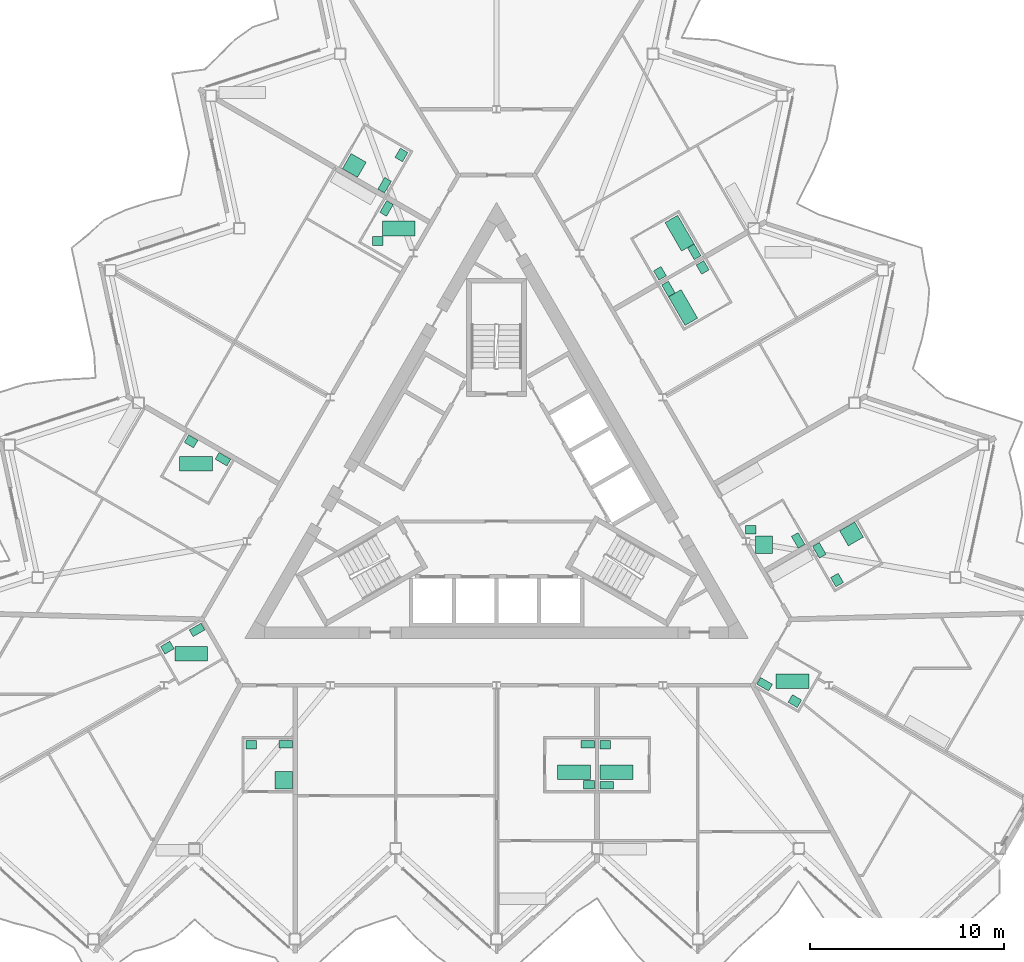
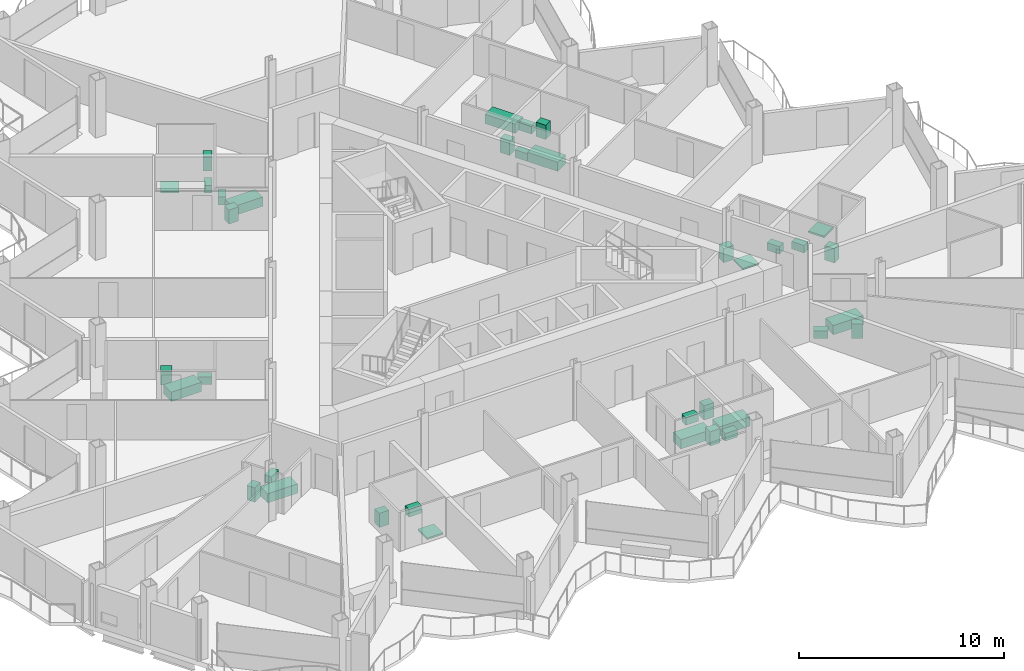
# One storey, part 27 of 28: 36 sanitary terminals.
"""IFC4 building model written with IfcOpenShell, lengths in metres."""

import ifcopenshell
import ifcopenshell.guid

model = None  # the IFC model being written
_history = None  # IfcOwnerHistory: only IFC2X3 demands one
_inside = {}  # id of a spatial element -> (the spatial element, [elements in it])
_under = {}  # id of a project, library or spatial element -> (it, [spatial elements below it])
_declared = {}  # id of a project -> (the project, [libraries it declares])
_typed = {}  # id of a type object -> (the type object, [elements of that type])
_made_of = {}  # id of a material, layer set ... -> (it, [elements and type objects made of it])


def new_model(schema):
    """Start an empty IFC model of exactly this schema.

    Asked for "IFC4X3", IfcOpenShell would pick the latest addendum, in which some entities
    have other attributes; the version numbers below select the first issue.
    IFC2X3 requires an IfcOwnerHistory on every rooted entity: one is made here for all.
    """
    global model, _history
    if schema == "IFC4X3":
        model = ifcopenshell.file(schema_version=(4, 3, 0, 0))
    else:
        model = ifcopenshell.file(schema=schema)
    _inside.clear()
    _under.clear()
    _declared.clear()
    _typed.clear()
    _made_of.clear()
    _history = None
    if model.schema == "IFC2X3":
        org = make("IfcOrganization", Name="unknown")
        user = make(
            "IfcPersonAndOrganization",
            ThePerson=make("IfcPerson", FamilyName="unknown"),
            TheOrganization=org,
        )
        app = make(
            "IfcApplication",
            ApplicationDeveloper=org,
            Version="unknown",
            ApplicationFullName="unknown",
            ApplicationIdentifier="unknown",
        )
        _history = make(
            "IfcOwnerHistory",
            OwningUser=user,
            OwningApplication=app,
            ChangeAction="ADDED",
            CreationDate=0,
        )
    return model


def make(cls, **values):
    """One entity of the class cls with the attributes given. An attribute that is None is left unset."""
    return model.create_entity(
        cls, **{name: value for name, value in values.items() if value is not None}
    )


def rooted(cls, **values):
    """An entity with a GlobalId (a new one), such as an element, a storey or a relation."""
    return make(cls, GlobalId=ifcopenshell.guid.new(), OwnerHistory=_history, **values)


def si_unit(unit_type, name, prefix=None):
    """IfcSIUnit, for example si_unit("LENGTHUNIT", "METRE", prefix="MILLI")."""
    return make("IfcSIUnit", UnitType=unit_type, Prefix=prefix, Name=name)


def assignment(units):
    """IfcUnitAssignment: the units of a project."""
    return None if units is None else make("IfcUnitAssignment", Units=units)


def point(xyz):
    """IfcCartesianPoint."""
    return None if xyz is None else make("IfcCartesianPoint", Coordinates=xyz)


def direction(xyz):
    """IfcDirection."""
    return None if xyz is None else make("IfcDirection", DirectionRatios=xyz)


def frame(location, z_axis=None, x_axis=None):
    """IfcAxis2Placement3D, a coordinate frame: its origin and axes. An axis left out is left unset."""
    return make(
        "IfcAxis2Placement3D",
        Location=point(location),
        Axis=direction(z_axis),
        RefDirection=direction(x_axis),
    )


def frame_2d(location, x_axis=None):
    """IfcAxis2Placement2D, a coordinate frame in the plane: its origin and x axis."""
    return make(
        "IfcAxis2Placement2D", Location=point(location), RefDirection=direction(x_axis)
    )


def origin():
    """The frame at (0, 0, 0) with its axes left unset."""
    return frame((0.0, 0.0, 0.0))


def origin_2d():
    """The frame at (0, 0) in the plane with its x axis left unset."""
    return frame_2d((0.0, 0.0))


def place(relative_to, where):
    """IfcLocalPlacement: puts the frame where relative to a parent placement (None: the world)."""
    return make(
        "IfcLocalPlacement", PlacementRelTo=relative_to, RelativePlacement=where
    )


def context(
    kind, dimensions, precision=None, world=None, true_north=None, identifier=None
):
    """IfcGeometricRepresentationContext, for example the 3D "Model" context."""
    return make(
        "IfcGeometricRepresentationContext",
        ContextIdentifier=identifier,
        ContextType=kind,
        CoordinateSpaceDimension=dimensions,
        Precision=precision,
        WorldCoordinateSystem=world,
        TrueNorth=true_north,
    )


def subcontext(parent, identifier, kind, view, scale=None):
    """IfcGeometricRepresentationSubContext, for example "Body" below "Model"."""
    return make(
        "IfcGeometricRepresentationSubContext",
        ContextIdentifier=identifier,
        ContextType=kind,
        ParentContext=parent,
        TargetScale=scale,
        TargetView=view,
    )


def project(units=None, contexts=None):
    """IfcProject with its units and contexts."""
    return rooted(
        "IfcProject",
        Name="project",
        RepresentationContexts=contexts,
        UnitsInContext=assignment(units),
    )


def spatial(cls, under=None, at=None, **own):
    """A site, building, storey or space (cls), placed at a placement, below another one or the project."""
    s = rooted(cls, ObjectPlacement=at, **own)
    if under is not None:
        _under.setdefault(under.id(), (under, []))[1].append(s)
    return s


def profile(cls, at=None, kind="AREA", **sizes):
    """A parametric profile (cls). Its sizes go by their IFC names, for example OverallWidth=200.0."""
    return make(cls, ProfileType=kind, Position=at, **sizes)


def rectangle(**sizes):
    """IfcRectangleProfileDef."""
    return profile("IfcRectangleProfileDef", **sizes)


def extrude(swept, where, along, depth):
    """IfcExtrudedAreaSolid: the profile swept, set in the frame where, extruded along a direction by depth."""
    return make(
        "IfcExtrudedAreaSolid",
        SweptArea=swept,
        Position=where,
        ExtrudedDirection=direction(along),
        Depth=depth,
    )


def shape(context_of_items, identifier, shape_type, items):
    """IfcShapeRepresentation: the items that make up one representation, for example the "Body"."""
    return make(
        "IfcShapeRepresentation",
        ContextOfItems=context_of_items,
        RepresentationIdentifier=identifier,
        RepresentationType=shape_type,
        Items=items,
    )


def material(Name=None, Category=None):
    """IfcMaterial."""
    return make("IfcMaterial", Name=Name, Category=Category)


def made_of(thing, what):
    """Note that an element or type object is made of a material, layer set ...; save() writes the relation."""
    if what is not None:
        _made_of.setdefault(what.id(), (what, []))[1].append(thing)
    return thing


def type_object(cls, material=None, **own):
    """A type object (cls), such as IfcWallType, which elements share."""
    return made_of(rooted(cls, **own), material)


def element(
    cls,
    number,
    at=None,
    inside=None,
    cuts=None,
    type_object=None,
    material=None,
    context=None,
    identifier="Body",
    shape_type=None,
    held_by="IfcProductDefinitionShape",
    body=None,
    shapes=None,
    **own,
):
    """One element of the class cls, such as IfcWall. Its Tag is "e" and its number.

    at: its placement. inside: the storey or other place that contains it. cuts: it is an
    opening in that element (IfcRelVoidsElement). A single representation is given by context,
    identifier, shape_type and body (its items); several are given by shapes. held_by: the class
    of the entity that holds the representations. save() writes the other relations.
    """
    e = rooted(cls, Tag="e%d" % number, ObjectPlacement=at, **own)
    if body is not None:
        shapes = [shape(context, identifier, shape_type, body)]
    if shapes is not None:
        e.Representation = make(held_by, Representations=shapes)
    if inside is not None:
        _inside.setdefault(inside.id(), (inside, []))[1].append(e)
    if cuts is not None:
        rooted(
            "IfcRelVoidsElement", RelatingBuildingElement=cuts, RelatedOpeningElement=e
        )
    if type_object is not None:
        _typed.setdefault(type_object.id(), (type_object, []))[1].append(e)
    return made_of(e, material)


def aggregate(whole, parts):
    """IfcRelAggregates: a whole, such as a stair, and the parts it consists of."""
    return rooted("IfcRelAggregates", RelatingObject=whole, RelatedObjects=parts)


def save(model, path):
    """Write the relations noted so far, then the file.

    IfcRelAggregates (storeys below a building ...), IfcRelContainedInSpatialStructure (elements
    in a storey), IfcRelDefinesByType, IfcRelAssociatesMaterial and IfcRelDeclares: one each for
    every whole, place, type object, material and project.
    """
    for whole, parts in _under.values():
        aggregate(whole, parts)
    for where, things in _inside.values():
        rooted(
            "IfcRelContainedInSpatialStructure",
            RelatedElements=things,
            RelatingStructure=where,
        )
    for kind, things in _typed.values():
        rooted("IfcRelDefinesByType", RelatedObjects=things, RelatingType=kind)
    for what, things in _made_of.values():
        rooted("IfcRelAssociatesMaterial", RelatedObjects=things, RelatingMaterial=what)
    for by, libraries in _declared.values():
        rooted("IfcRelDeclares", RelatingContext=by, RelatedDefinitions=libraries)
    model.write(path)


model = new_model("IFC4")

# Units and contexts
model_context = context("Model", 3, precision=1e-05, world=origin(), true_north=direction((0.0, 1.0)))
body_context = subcontext(model_context, "Body", "Model", "MODEL_VIEW")
ifc_project = project(units=[si_unit("LENGTHUNIT", "METRE"), si_unit("AREAUNIT", "SQUARE_METRE"), si_unit("VOLUMEUNIT", "CUBIC_METRE"), si_unit("PLANEANGLEUNIT", "RADIAN"), si_unit("MASSUNIT", "GRAM", prefix="KILO")], contexts=[model_context])

# Site, building, storey
site_placement = place(None, origin())
site = spatial("IfcSite", under=ifc_project, at=site_placement, CompositionType="ELEMENT")
building_placement = place(site_placement, origin())
building = spatial("IfcBuilding", under=site, at=building_placement, Name="Cormorant Prow Tower", CompositionType="ELEMENT")
storey_placement = place(building_placement, frame((0.0, 0.0, 305.199951171875)))
storey = spatial("IfcBuildingStorey", under=building, at=storey_placement, Name="L66", CompositionType="ELEMENT", Elevation=305.199951171875)

# Sanitary terminals
ifc_material_1 = material(Name="Vitreous china")
sanitary_terminal_type_1 = type_object("IfcSanitaryTerminalType", Name="Bath 1700x750", PredefinedType="BATH", material=ifc_material_1)
for number, where, z_axis, x_axis, name in (
    (1, (3.98583984375, -14.385498046875, 0.0), (0.0, 0.0, 1.0), (1.0, 0.0, 0.0), "Bath"),
    (2, (6.185791015625, -14.385498046875, 0.0), (0.0, 0.0, 1.0), (1.0, 0.0, 0.0), "Bath"),
    (3, (15.2607421875, -9.70068359375, 0.0), (0.0, 0.0, 1.0), (1.0, 0.0, 0.0), "Bath"),
    (4, (9.6240234375, 9.581787109375, 0.0), (0.0, 0.0, 1.0), (-0.5, 0.866025403784, 0.0), "Bath"),
    (5, (9.443359375, 13.414794921875, 0.0), (0.0, 0.0, 1.0), (0.5, -0.866025403784, 0.0), "Bath"),
    (6, (-5.0458984375, 13.660400390625, 0.0), (0.0, 0.0, 1.0), (1.0, 0.0, 0.0), "Bath"),
    (7, (-15.50732421875, 1.523681640625, 0.0), (0.0, 0.0, 1.0), (1.0, 0.0, 0.0), "Bath"),
    (8, (-15.75244140625, -8.29248046875, 0.0), (0.0, 0.0, 1.0), (1.0, 0.0, 0.0), "Bath"),
):
    element("IfcSanitaryTerminal", number, at=place(storey_placement, frame(where, z_axis=z_axis, x_axis=x_axis)), inside=storey, type_object=sanitary_terminal_type_1, Name=name, PredefinedType="BATH", context=body_context, shape_type="SweptSolid", body=[
        extrude(rectangle(XDim=1.699951171875, YDim=0.75, at=origin_2d()), origin(), (0.0, 0.0, 1.0), 0.550048828125),
    ])
ifc_material_2 = material(Name="Vitreous china")
sanitary_terminal_type_2 = type_object("IfcSanitaryTerminalType", Name="Shower tray 900x900", PredefinedType="SHOWER", material=ifc_material_2)
for number, where, z_axis, x_axis, name in (
    (9, (-10.976806640625, -14.810546875, 0.0), (0.0, 0.0, 1.0), (-1.0, 0.0, 0.0), "Shower tray"),
    (10, (18.314697265625, -2.10107421875, 0.0), (0.0, 0.0, 1.0), (0.5, -0.866025403784, 0.0), "Shower tray"),
    (11, (13.79931640625, -2.658447265625, 0.0), (0.0, 0.0, 1.0), (1.0, 0.0, 0.0), "Shower tray"),
    (12, (-7.337890625, 16.91162109375, 0.0), (0.0, 0.0, 1.0), (0.5, 0.866025403784, 0.0), "Shower tray"),
):
    element("IfcSanitaryTerminal", number, at=place(storey_placement, frame(where, z_axis=z_axis, x_axis=x_axis)), inside=storey, type_object=sanitary_terminal_type_2, Name=name, PredefinedType="SHOWER", context=body_context, shape_type="SweptSolid", body=[
        extrude(rectangle(XDim=0.89990234375, YDim=0.89990234375, at=origin_2d()), origin(), (0.0, 0.0, 1.0), 0.10009765625),
    ])
ifc_material_3 = material(Name="Vitreous china")
sanitary_terminal_type_3 = type_object("IfcSanitaryTerminalType", Name="Wash basin 550x450", PredefinedType="WASHHANDBASIN", material=ifc_material_3)
for number, where, z_axis, x_axis, name in (
    (13, (-12.661865234375, -12.9755859375, 0.0), (0.0, 0.0, 1.0), (1.0, 0.0, 0.0), "Wash basin"),
    (14, (4.77099609375, -15.03564453125, 0.0), (0.0, 0.0, 1.0), (-1.0, 0.0, 0.0), "Wash basin"),
    (15, (5.61083984375, -12.9755859375, 0.0), (0.0, 0.0, 1.0), (1.0, 0.0, 0.0), "Wash basin"),
    (16, (15.390380859375, -10.72509765625, 0.0), (0.0, 0.0, 1.0), (-0.866025403784, 0.5, 0.0), "Wash basin"),
    (17, (17.568115234375, -4.477783203125, 0.0), (0.0, 0.0, 1.0), (-0.5, 0.866025403784, 0.0), "Wash basin"),
    (18, (13.124267578125, -1.88330078125, 0.0), (0.0, 0.0, 1.0), (1.0, 0.0, 0.0), "Wash basin"),
    (19, (10.6357421875, 11.6494140625, 0.0), (0.0, 0.0, 1.0), (0.5, -0.866025403784, 0.0), "Wash basin"),
    (20, (8.431640625, 11.346923828125, 0.0), (0.0, 0.0, 1.0), (-0.5, 0.866025403784, 0.0), "Wash basin"),
    (21, (-4.90625, 17.453369140625, 0.0), (0.0, 0.0, 1.0), (-0.5, -0.866025403784, 0.0), "Wash basin"),
    (22, (-6.12109375, 13.01025390625, 0.0), (0.0, 0.0, 1.0), (1.0, 0.0, 0.0), "Wash basin"),
    (23, (-15.75830078125, 2.677001953125, 0.0), (0.0, 0.0, 1.0), (0.866025403784, -0.5, 0.0), "Wash basin"),
    (24, (-16.9833984375, -7.966064453125, 0.0), (0.0, 0.0, 1.0), (0.866025403784, 0.5, 0.0), "Wash basin"),
):
    element("IfcSanitaryTerminal", number, at=place(storey_placement, frame(where, z_axis=z_axis, x_axis=x_axis)), inside=storey, type_object=sanitary_terminal_type_3, Name=name, PredefinedType="WASHHANDBASIN", context=body_context, shape_type="SweptSolid", body=[
        extrude(rectangle(XDim=0.550048828125, YDim=0.449951171875, at=origin_2d()), origin(), (0.0, 0.0, 1.0), 0.85009765625),
    ])
ifc_material_4 = material(Name="Vitreous china")
sanitary_terminal_type_4 = type_object("IfcSanitaryTerminalType", Name="Water closet 400x700", PredefinedType="WCSEAT", material=ifc_material_4)
for number, where, z_axis, x_axis, name in (
    (25, (-10.876953125, -12.95068359375, 0.0), (0.0, 0.0, 1.0), (0.0, -1.0, 0.0), "Water closet"),
    (26, (4.69580078125, -12.95068359375, 0.0), (0.0, 0.0, 1.0), (0.0, -1.0, 0.0), "Water closet"),
    (27, (5.685791015625, -15.060546875, 0.0), (0.0, 0.0, 1.0), (0.0, 1.0, 0.0), "Water closet"),
    (28, (13.83203125, -9.854248046875, 0.0), (0.0, 0.0, 1.0), (0.5, 0.866025403784, 0.0), "Water closet"),
    (29, (16.65380859375, -2.9443359375, 0.0), (0.0, 0.0, 1.0), (0.866025403784, 0.5, 0.0), "Water closet"),
    (30, (15.561279296875, -2.431884765625, 0.0), (0.0, 0.0, 1.0), (-0.866025403784, -0.5, 0.0), "Water closet"),
    (31, (8.867431640625, 10.5419921875, 0.0), (0.0, 0.0, 1.0), (0.866025403784, 0.5, 0.0), "Water closet"),
    (32, (10.199951171875, 12.454345703125, 0.0), (0.0, 0.0, 1.0), (-0.866025403784, -0.5, 0.0), "Water closet"),
    (33, (-5.777099609375, 15.89501953125, 0.0), (0.0, 0.0, 1.0), (-0.866025403784, 0.5, 0.0), "Water closet"),
    (34, (-5.674560546875, 14.692626953125, 0.0), (0.0, 0.0, 1.0), (0.866025403784, -0.5, 0.0), "Water closet"),
    (35, (-14.11328125, 1.756103515625, 0.0), (0.0, 0.0, 1.0), (-0.5, -0.866025403784, 0.0), "Water closet"),
    (36, (-15.4501953125, -7.0517578125, 0.0), (0.0, 0.0, 1.0), (0.5, -0.866025403784, 0.0), "Water closet"),
):
    element("IfcSanitaryTerminal", number, at=place(storey_placement, frame(where, z_axis=z_axis, x_axis=x_axis)), inside=storey, type_object=sanitary_terminal_type_4, Name=name, PredefinedType="WCSEAT", context=body_context, shape_type="SweptSolid", body=[
        extrude(rectangle(XDim=0.39990234375, YDim=0.699951171875, at=origin_2d()), origin(), (0.0, 0.0, 1.0), 0.449951171875),
    ])

save(model, "model.ifc")
